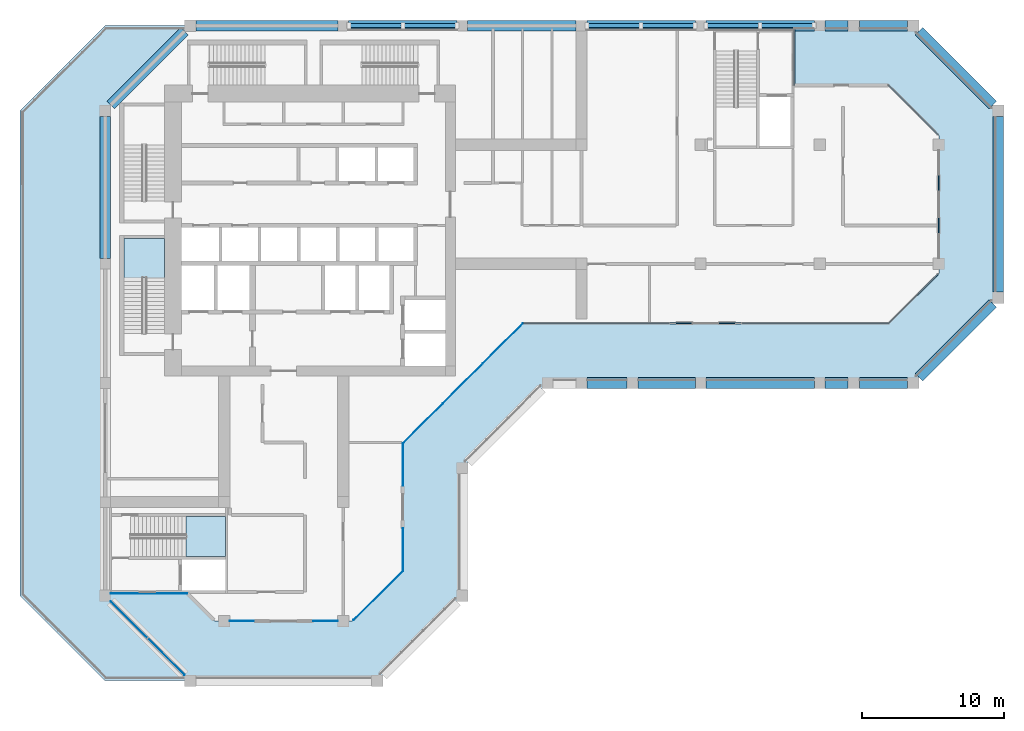
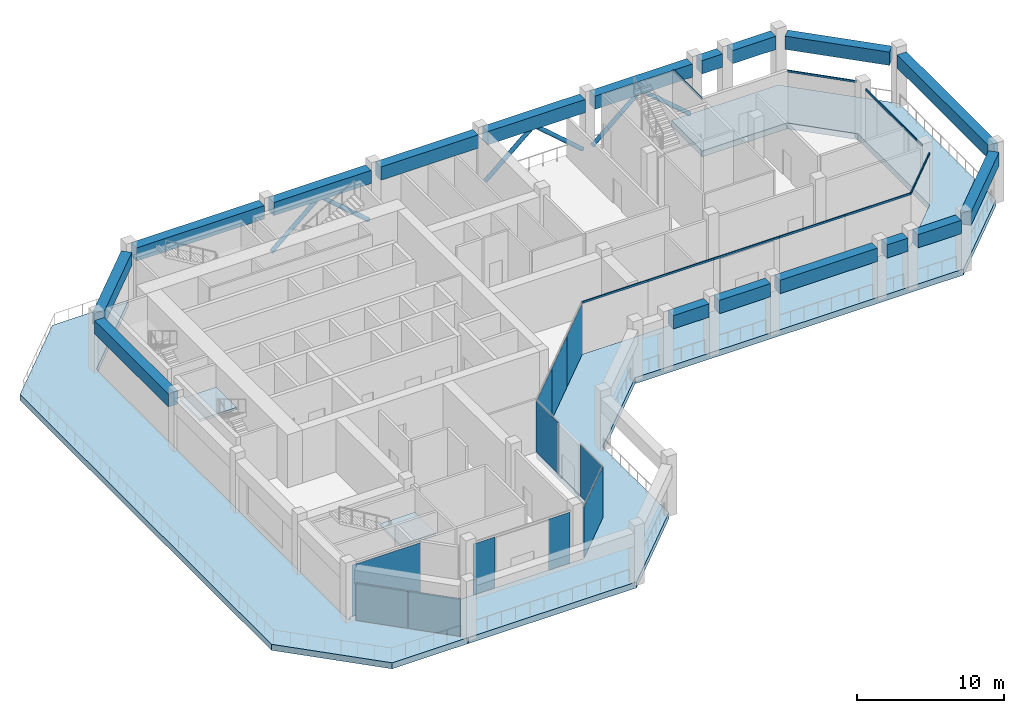
# One storey, part 3 of 16: 17 beams, 15 members, 11 plates, 3 slabs, 13 elements without a shape of their own.
"""IFC4 building model written with IfcOpenShell, lengths in metres."""

from ifc_helpers import new_model, si_unit, direction, frame, origin, origin_2d, place, context, subcontext, project, spatial, polyline, rectangle, hollow_circle, outline, extrude, material, layer, layer_set, material_profile, profile_set, type_object, element, aggregate, save


model = new_model("IFC4")

# Units and contexts
model_context = context("Model", 3, precision=1e-05, world=origin(), true_north=direction((0.0, 1.0)))
body_context = subcontext(model_context, "Body", "Model", "MODEL_VIEW")
ifc_project = project(units=[si_unit("LENGTHUNIT", "METRE"), si_unit("AREAUNIT", "SQUARE_METRE"), si_unit("VOLUMEUNIT", "CUBIC_METRE"), si_unit("PLANEANGLEUNIT", "RADIAN"), si_unit("MASSUNIT", "GRAM", prefix="KILO")], contexts=[model_context])

# Site, building, storey
site_placement = place(None, origin())
site = spatial("IfcSite", under=ifc_project, at=site_placement, CompositionType="ELEMENT")
building_placement = place(site_placement, origin())
building = spatial("IfcBuilding", under=site, at=building_placement, Name="Kawkab Arch Medical Tower", CompositionType="ELEMENT")
storey_placement = place(building_placement, frame((0.0, 0.0, 272.60009765625)))
storey = spatial("IfcBuildingStorey", under=building, at=storey_placement, Name="L63", CompositionType="ELEMENT", Elevation=272.60009765625)

# Members
ifc_material_1 = material(Name="Steel S355", Category="steel")
ifc_material_profile_1 = material_profile(ifc_material_1, hollow_circle(Radius=0.161865234375, WallThickness=0.01611328125, at=origin_2d()), Name="CHS 323.9x16")
ifc_profile_set_1 = profile_set([ifc_material_profile_1], Name="Steel S355")
member_type_1 = type_object("IfcMemberType", Name="CHS 323.9x16 belt truss brace S355", PredefinedType="BRACE", material=ifc_profile_set_1)
for number, where, z_axis, x_axis, name in (
    (1, (17.190185546875, 0.0, 0.070068359375), (0.756396943711, 0.0, 0.654112882876), (0.0, 1.0, 0.0), "Belt truss brace L63-N01A"),
    (2, (24.809814453125, 0.0, 0.070068359375), (-0.756396943711, 0.0, 0.654112882876), (0.0, -1.0, 0.0), "Belt truss brace L63-N01B"),
    (3, (33.989990234375, 0.0, 0.070068359375), (0.756417723019, 0.0, 0.654088853523), (0.0, 1.0, 0.0), "Belt truss brace L63-N02A"),
    (4, (41.60986328125, 0.0, 0.070068359375), (-0.756396943711, 0.0, 0.654112882876), (0.0, -1.0, 0.0), "Belt truss brace L63-N02B"),
    (5, (42.39013671875, 0.0, 0.070068359375), (0.756396943711, 0.0, 0.654112882876), (0.0, 1.0, 0.0), "Belt truss brace L63-N03A"),
    (6, (50.010009765625, 0.0, 0.070068359375), (-0.756417723019, 0.0, 0.654088853523), (0.0, -1.0, 0.0), "Belt truss brace L63-N03B"),
):
    element("IfcMember", number, at=place(storey_placement, frame(where, z_axis=z_axis, x_axis=x_axis)), inside=storey, type_object=member_type_1, Name=name, PredefinedType="BRACE", context=body_context, shape_type="SweptSolid", body=[
        extrude(hollow_circle(Radius=0.161865234375, WallThickness=0.01611328125, at=origin_2d()), origin(), (0.0, 0.0, 1.0), 5.02685546875),
    ])

# Curtain wall, members
ifc_material_2 = material(Name="Bronze anodised aluminium curtain wall frame", Category="aluminium")
ifc_layer_1 = layer(ifc_material_2, 0.159912109375)
ifc_layer_set_1 = layer_set([ifc_layer_1], Name="Bronze anodised aluminium curtain wall frame")
curtain_wall_type = type_object("IfcCurtainWallType", Name="CW4 refuge floor fire-protected glazing", PredefinedType="NOTDEFINED", material=ifc_layer_set_1)
placement_1 = place(storey_placement, origin())
curtain_wall_1 = element("IfcCurtainWall", 7, at=placement_1, inside=storey, type_object=curtain_wall_type, Name="CW4 Refuge floor fire-protected glazing R13", PredefinedType="NOTDEFINED")
ifc_material_3 = material(Name="Bronze anodised aluminium curtain wall frame", Category="aluminium")
ifc_material_profile_2 = material_profile(ifc_material_3, rectangle(XDim=0.080078125, YDim=0.159912109375, at=origin_2d()), Name="AL 80x160")
ifc_profile_set_2 = profile_set([ifc_material_profile_2], Name="Bronze anodised aluminium curtain wall frame")
member_type_2 = type_object("IfcMemberType", Name="CW4 transom 160 x 80", PredefinedType="USERDEFINED", material=ifc_profile_set_2)
member_1_placement = place(storey_placement, frame((29.4599609375, -21.0, 4.31982421875), z_axis=(1.0, 0.0, 0.0), x_axis=(0.0, 1.0, 0.0)))
member_1 = element("IfcMember", 8, at=member_1_placement, type_object=member_type_2, Name="CW4 transom 1", ObjectType="TRANSOM", PredefinedType="USERDEFINED", context=body_context, shape_type="SweptSolid", body=[
    extrude(rectangle(XDim=0.080078125, YDim=0.159912109375, at=origin_2d()), origin(), (0.0, 0.0, 1.0), 5.16015625),
])
member_2_placement = place(storey_placement, frame((34.6201171875, -21.0, 4.31982421875), z_axis=(1.0, 0.0, 0.0), x_axis=(0.0, 1.0, 0.0)))
member_2 = element("IfcMember", 9, at=member_2_placement, type_object=member_type_2, Name="CW4 transom 2", ObjectType="TRANSOM", PredefinedType="USERDEFINED", context=body_context, shape_type="SweptSolid", body=[
    extrude(rectangle(XDim=0.080078125, YDim=0.159912109375, at=origin_2d()), origin(), (0.0, 0.0, 1.0), 5.159912109375),
])
member_3_placement = place(storey_placement, frame((39.780029296875, -21.0, 4.31982421875), z_axis=(1.0, 0.0, 0.0), x_axis=(0.0, 1.0, 0.0)))
member_3 = element("IfcMember", 10, at=member_3_placement, type_object=member_type_2, Name="CW4 transom 3", ObjectType="TRANSOM", PredefinedType="USERDEFINED", context=body_context, shape_type="SweptSolid", body=[
    extrude(rectangle(XDim=0.080078125, YDim=0.159912109375, at=origin_2d()), origin(), (0.0, 0.0, 1.0), 5.159912109375),
])
member_4_placement = place(storey_placement, frame((44.93994140625, -21.0, 4.31982421875), z_axis=(1.0, 0.0, 0.0), x_axis=(0.0, 1.0, 0.0)))
member_4 = element("IfcMember", 11, at=member_4_placement, type_object=member_type_2, Name="CW4 transom 4", ObjectType="TRANSOM", PredefinedType="USERDEFINED", context=body_context, shape_type="SweptSolid", body=[
    extrude(rectangle(XDim=0.080078125, YDim=0.159912109375, at=origin_2d()), origin(), (0.0, 0.0, 1.0), 5.16015625),
])
member_5_placement = place(storey_placement, frame((50.10009765625, -21.0, 4.31982421875), z_axis=(1.0, 0.0, 0.0), x_axis=(0.0, 1.0, 0.0)))
member_5 = element("IfcMember", 12, at=member_5_placement, type_object=member_type_2, Name="CW4 transom 5", ObjectType="TRANSOM", PredefinedType="USERDEFINED", context=body_context, shape_type="SweptSolid", body=[
    extrude(rectangle(XDim=0.080078125, YDim=0.159912109375, at=origin_2d()), origin(), (0.0, 0.0, 1.0), 5.159912109375),
])
aggregate(curtain_wall_1, [member_1, member_2, member_3, member_4, member_5])

# Curtain wall, member
curtain_wall_2 = element("IfcCurtainWall", 13, at=placement_1, inside=storey, type_object=curtain_wall_type, Name="CW4 Refuge floor fire-protected glazing R14", PredefinedType="NOTDEFINED")
member_6_placement = place(storey_placement, frame((55.260009765625, -21.0, 4.31982421875), z_axis=(0.707106781187, 0.707106781187, 0.0), x_axis=(-0.707106781187, 0.707106781187, 0.0)))
member_6 = element("IfcMember", 14, at=member_6_placement, type_object=member_type_2, Name="CW4 transom 1", ObjectType="TRANSOM", PredefinedType="USERDEFINED", context=body_context, shape_type="SweptSolid", body=[
    extrude(rectangle(XDim=0.080078125, YDim=0.159912109375, at=origin_2d()), origin(), (0.0, 0.0, 1.0), 4.9072265625),
])
aggregate(curtain_wall_2, [member_6])

curtain_wall_3 = element("IfcCurtainWall", 15, at=placement_1, inside=storey, type_object=curtain_wall_type, Name="CW4 Refuge floor fire-protected glazing R15", PredefinedType="NOTDEFINED")
member_7_placement = place(storey_placement, frame((58.800048828125, -16.39990234375, 4.31982421875), z_axis=(0.0, 1.0, 0.0), x_axis=(-1.0, 0.0, 0.0)))
member_7 = element("IfcMember", 16, at=member_7_placement, type_object=member_type_2, Name="CW4 transom 1", ObjectType="TRANSOM", PredefinedType="USERDEFINED", context=body_context, shape_type="SweptSolid", body=[
    extrude(rectangle(XDim=0.080078125, YDim=0.159912109375, at=origin_2d()), origin(), (0.0, 0.0, 1.0), 7.599853515625),
])
aggregate(curtain_wall_3, [member_7])

curtain_wall_4 = element("IfcCurtainWall", 17, at=placement_1, inside=storey, type_object=curtain_wall_type, Name="CW4 Refuge floor fire-protected glazing R16", PredefinedType="NOTDEFINED")
member_8_placement = place(storey_placement, frame((58.72998046875, -7.669921875, 4.31982421875), z_axis=(-0.707106781187, 0.707106781187, 0.0), x_axis=(-0.707106781187, -0.707106781187, 0.0)))
member_8 = element("IfcMember", 18, at=member_8_placement, type_object=member_type_2, Name="CW4 transom 1", ObjectType="TRANSOM", PredefinedType="USERDEFINED", context=body_context, shape_type="SweptSolid", body=[
    extrude(rectangle(XDim=0.080078125, YDim=0.159912109375, at=origin_2d()), origin(), (0.0, 0.0, 1.0), 4.9072265625),
])
aggregate(curtain_wall_4, [member_8])

curtain_wall_5 = element("IfcCurtainWall", 19, at=placement_1, inside=storey, type_object=curtain_wall_type, Name="CW4 Refuge floor fire-protected glazing R18", PredefinedType="NOTDEFINED")
member_9_placement = place(storey_placement, frame((48.60107421875, -4.199951171875, 4.31982421875), z_axis=(0.0, 1.0, 0.0), x_axis=(-1.0, 0.0, 0.0)))
member_9 = element("IfcMember", 20, at=member_9_placement, type_object=member_type_2, Name="CW4 transom 1", ObjectType="TRANSOM", PredefinedType="USERDEFINED", context=body_context, shape_type="SweptSolid", body=[
    extrude(rectangle(XDim=0.080078125, YDim=0.159912109375, at=origin_2d()), origin(), (0.0, 0.0, 1.0), 3.89990234375),
])
aggregate(curtain_wall_5, [member_9])

# Beams
ifc_material_4 = material(Name="Concrete C40/50", Category="concrete")
ifc_material_profile_3 = material_profile(ifc_material_4, rectangle(XDim=0.75, YDim=1.10009765625, at=origin_2d()), Name="RC 750x1100")
ifc_profile_set_3 = profile_set([ifc_material_profile_3], Name="Concrete C40/50")
beam_type = type_object("IfcBeamType", Name="RC 750x1100 beam C40/50", PredefinedType="SPANDREL", material=ifc_profile_set_3)
beam_1_placement = place(storey_placement, frame((0.39990234375, -5.60009765625, 3.849853515625), z_axis=(0.707106781187, 0.707106781187, 0.0), x_axis=(-0.707106781187, 0.707106781187, 0.0)))
element("IfcBeam", 21, at=beam_1_placement, inside=storey, type_object=beam_type, Name="Belt beam L63-01", PredefinedType="SPANDREL", context=body_context, shape_type="SweptSolid", body=[
    extrude(rectangle(XDim=0.75, YDim=1.10009765625, at=origin_2d()), origin(), (0.0, 0.0, 1.0), 7.354248046875),
])
beam_2_placement = place(storey_placement, frame((6.39990234375, 0.0, 3.849853515625), z_axis=(1.0, 0.0, 0.0), x_axis=(0.0, 1.0, 0.0)))
element("IfcBeam", 22, at=beam_2_placement, inside=storey, type_object=beam_type, Name="Belt beam L63-02", PredefinedType="SPANDREL", context=body_context, shape_type="SweptSolid", body=[
    extrude(rectangle(XDim=0.75, YDim=1.10009765625, at=origin_2d()), origin(), (0.0, 0.0, 1.0), 10.025146484375),
])
beam_3_placement = place(storey_placement, frame((17.175048828125, 0.0, 3.849853515625), z_axis=(1.0, 0.0, 0.0), x_axis=(0.0, 1.0, 0.0)))
element("IfcBeam", 23, at=beam_3_placement, inside=storey, type_object=beam_type, Name="Belt beam L63-03", PredefinedType="SPANDREL", context=body_context, shape_type="SweptSolid", body=[
    extrude(rectangle(XDim=0.75, YDim=1.10009765625, at=origin_2d()), origin(), (0.0, 0.0, 1.0), 7.64990234375),
])
beam_4_placement = place(storey_placement, frame((25.574951171875, 0.0, 3.849853515625), z_axis=(1.0, 0.0, 0.0), x_axis=(0.0, 1.0, 0.0)))
element("IfcBeam", 24, at=beam_4_placement, inside=storey, type_object=beam_type, Name="Belt beam L63-04", PredefinedType="SPANDREL", context=body_context, shape_type="SweptSolid", body=[
    extrude(rectangle(XDim=0.75, YDim=1.10009765625, at=origin_2d()), origin(), (0.0, 0.0, 1.0), 7.650146484375),
])
for number, where, z_axis, x_axis, name in (
    (25, (33.97509765625, 0.0, 3.849853515625), (1.0, 0.0, 0.0), (0.0, 1.0, 0.0), "Belt beam L63-05"),
    (26, (42.375, 0.0, 3.849853515625), (1.0, 0.0, 0.0), (0.0, 1.0, 0.0), "Belt beam L63-06"),
):
    element("IfcBeam", number, at=place(storey_placement, frame(where, z_axis=z_axis, x_axis=x_axis)), inside=storey, type_object=beam_type, Name=name, PredefinedType="SPANDREL", context=body_context, shape_type="SweptSolid", body=[
        extrude(rectangle(XDim=0.75, YDim=1.10009765625, at=origin_2d()), origin(), (0.0, 0.0, 1.0), 7.64990234375),
    ])
beam_5_placement = place(storey_placement, frame((50.77490234375, 0.0, 3.849853515625), z_axis=(1.0, 0.0, 0.0), x_axis=(0.0, 1.0, 0.0)))
element("IfcBeam", 27, at=beam_5_placement, inside=storey, type_object=beam_type, Name="Belt beam L63-07", PredefinedType="SPANDREL", context=body_context, shape_type="SweptSolid", body=[
    extrude(rectangle(XDim=0.75, YDim=1.10009765625, at=origin_2d()), origin(), (0.0, 0.0, 1.0), 1.625),
])
beam_6_placement = place(storey_placement, frame((53.199951171875, 0.0, 3.849853515625), z_axis=(1.0, 0.0, 0.0), x_axis=(0.0, 1.0, 0.0)))
element("IfcBeam", 28, at=beam_6_placement, inside=storey, type_object=beam_type, Name="Belt beam L63-08", PredefinedType="SPANDREL", context=body_context, shape_type="SweptSolid", body=[
    extrude(rectangle(XDim=0.75, YDim=1.10009765625, at=origin_2d()), origin(), (0.0, 0.0, 1.0), 3.400146484375),
])
beam_7_placement = place(storey_placement, frame((57.39990234375, -0.39990234375, 3.849853515625), z_axis=(0.707106781187, -0.707106781187, 0.0), x_axis=(0.707106781187, 0.707106781187, 0.0)))
element("IfcBeam", 29, at=beam_7_placement, inside=storey, type_object=beam_type, Name="Belt beam L63-09", PredefinedType="SPANDREL", context=body_context, shape_type="SweptSolid", body=[
    extrude(rectangle(XDim=0.75, YDim=1.10009765625, at=origin_2d()), origin(), (0.0, 0.0, 1.0), 7.354248046875),
])
beam_8_placement = place(storey_placement, frame((63.0, -6.39990234375, 3.849853515625), z_axis=(0.0, -1.0, 0.0), x_axis=(1.0, 0.0, 0.0)))
element("IfcBeam", 30, at=beam_8_placement, inside=storey, type_object=beam_type, Name="Belt beam L63-10", PredefinedType="SPANDREL", context=body_context, shape_type="SweptSolid", body=[
    extrude(rectangle(XDim=0.75, YDim=1.10009765625, at=origin_2d()), origin(), (0.0, 0.0, 1.0), 12.400146484375),
])
beam_9_placement = place(storey_placement, frame((62.60009765625, -19.60009765625, 3.849853515625), z_axis=(-0.707123380132, -0.707090181851, 0.0), x_axis=(0.707090181851, -0.707123380132, 0.0)))
element("IfcBeam", 31, at=beam_9_placement, inside=storey, type_object=beam_type, Name="Belt beam L63-11", PredefinedType="SPANDREL", context=body_context, shape_type="SweptSolid", body=[
    extrude(rectangle(XDim=0.75, YDim=1.10009765625, at=origin_2d()), origin(), (0.0, 0.0, 1.0), 7.35400390625),
])
beam_10_placement = place(storey_placement, frame((56.60009765625, -25.199951171875, 3.849853515625), z_axis=(-1.0, 0.0, 0.0), x_axis=(0.0, -1.0, 0.0)))
element("IfcBeam", 32, at=beam_10_placement, inside=storey, type_object=beam_type, Name="Belt beam L63-12", PredefinedType="SPANDREL", context=body_context, shape_type="SweptSolid", body=[
    extrude(rectangle(XDim=0.75, YDim=1.10009765625, at=origin_2d()), origin(), (0.0, 0.0, 1.0), 3.400146484375),
])
beam_11_placement = place(storey_placement, frame((52.39990234375, -25.199951171875, 3.849853515625), z_axis=(-1.0, 0.0, 0.0), x_axis=(0.0, -1.0, 0.0)))
element("IfcBeam", 33, at=beam_11_placement, inside=storey, type_object=beam_type, Name="Belt beam L63-13", PredefinedType="SPANDREL", context=body_context, shape_type="SweptSolid", body=[
    extrude(rectangle(XDim=0.75, YDim=1.10009765625, at=origin_2d()), origin(), (0.0, 0.0, 1.0), 1.625),
])
beam_12_placement = place(storey_placement, frame((50.02490234375, -25.199951171875, 3.849853515625), z_axis=(-1.0, 0.0, 0.0), x_axis=(0.0, -1.0, 0.0)))
element("IfcBeam", 34, at=beam_12_placement, inside=storey, type_object=beam_type, Name="Belt beam L63-14", PredefinedType="SPANDREL", context=body_context, shape_type="SweptSolid", body=[
    extrude(rectangle(XDim=0.75, YDim=1.10009765625, at=origin_2d()), origin(), (0.0, 0.0, 1.0), 7.64990234375),
])
beam_13_placement = place(storey_placement, frame((41.625, -25.199951171875, 3.849853515625), z_axis=(-1.0, 0.0, 0.0), x_axis=(0.0, -1.0, 0.0)))
element("IfcBeam", 35, at=beam_13_placement, inside=storey, type_object=beam_type, Name="Belt beam L63-15", PredefinedType="SPANDREL", context=body_context, shape_type="SweptSolid", body=[
    extrude(rectangle(XDim=0.75, YDim=1.10009765625, at=origin_2d()), origin(), (0.0, 0.0, 1.0), 4.02490234375),
])
beam_14_placement = place(storey_placement, frame((36.800048828125, -25.199951171875, 3.849853515625), z_axis=(-1.0, 0.0, 0.0), x_axis=(0.0, -1.0, 0.0)))
element("IfcBeam", 36, at=beam_14_placement, inside=storey, type_object=beam_type, Name="Belt beam L63-16", PredefinedType="SPANDREL", context=body_context, shape_type="SweptSolid", body=[
    extrude(rectangle(XDim=0.75, YDim=1.10009765625, at=origin_2d()), origin(), (0.0, 0.0, 1.0), 2.800048828125),
])
beam_15_placement = place(storey_placement, frame((0.0, -16.425048828125, 3.849853515625), z_axis=(0.0, 1.0, 0.0), x_axis=(-1.0, 0.0, 0.0)))
element("IfcBeam", 37, at=beam_15_placement, inside=storey, type_object=beam_type, Name="Belt beam L63-26", PredefinedType="SPANDREL", context=body_context, shape_type="SweptSolid", body=[
    extrude(rectangle(XDim=0.75, YDim=1.10009765625, at=origin_2d()), origin(), (0.0, 0.0, 1.0), 10.025146484375),
])

# Curtain wall, plates
curtain_wall_6 = element("IfcCurtainWall", 38, at=placement_1, inside=storey, type_object=curtain_wall_type, Name="CW4 Refuge floor fire-protected glazing R04", PredefinedType="NOTDEFINED")
ifc_material_5 = material(Name="Fire-resisting laminated glass", Category="glass")
ifc_layer_2 = layer(ifc_material_5, 0.0400390625)
ifc_layer_set_2 = layer_set([ifc_layer_2], Name="Fire-resisting laminated glass")
plate_type = type_object("IfcPlateType", Name="CW4 glazing unit 40", PredefinedType="CURTAIN_PANEL", material=ifc_layer_set_2)
plate_1_placement = place(storey_placement, frame((4.314208984375, -44.51416015625, 0.0), z_axis=(0.0, 0.0, 1.0), x_axis=(-0.707106781187, 0.707106781187, 0.0)))
plate_1 = element("IfcPlate", 39, at=plate_1_placement, type_object=plate_type, Name="CW4 glazing unit 1.1", PredefinedType="CURTAIN_PANEL", context=body_context, shape_type="SweptSolid", body=[
    extrude(rectangle(XDim=3.636962890625, YDim=0.0400390625, at=origin_2d()), origin(), (0.0, 0.0, 1.0), 3.139892578125),
])
plate_2_placement = place(storey_placement, frame((1.685791015625, -41.8857421875, 0.0), z_axis=(0.0, 0.0, 1.0), x_axis=(-0.707106781187, 0.707106781187, 0.0)))
plate_2 = element("IfcPlate", 40, at=plate_2_placement, type_object=plate_type, Name="CW4 glazing unit 1.2", PredefinedType="CURTAIN_PANEL", context=body_context, shape_type="SweptSolid", body=[
    extrude(rectangle(XDim=3.636962890625, YDim=0.0400390625, at=origin_2d()), origin(), (0.0, 0.0, 1.0), 3.139892578125),
])
aggregate(curtain_wall_6, [plate_1, plate_2])

# Curtain wall, plate
curtain_wall_7 = element("IfcCurtainWall", 41, at=placement_1, inside=storey, type_object=curtain_wall_type, Name="CW4 Refuge floor fire-protected glazing R07", PredefinedType="NOTDEFINED")
plate_3_placement = place(storey_placement, frame((3.094970703125, -40.050048828125, 0.0), z_axis=(0.0, 0.0, 1.0), x_axis=(1.0, 0.0, 0.0)))
plate_3 = element("IfcPlate", 42, at=plate_3_placement, type_object=plate_type, Name="CW4 glazing unit 1.1", PredefinedType="CURTAIN_PANEL", context=body_context, shape_type="SweptSolid", body=[
    extrude(rectangle(XDim=5.389892578125, YDim=0.0400390625, at=origin_2d()), origin(), (0.0, 0.0, 1.0), 4.239990234375),
])
aggregate(curtain_wall_7, [plate_3])

# Curtain wall, plates
curtain_wall_8 = element("IfcCurtainWall", 43, at=placement_1, inside=storey, type_object=curtain_wall_type, Name="CW4 Refuge floor fire-protected glazing R09", PredefinedType="NOTDEFINED")
plate_4_placement = place(storey_placement, frame((9.64990234375, -42.0009765625, 0.0), z_axis=(0.0, 0.0, 1.0), x_axis=(1.0, 0.0, 0.0)))
plate_4 = element("IfcPlate", 44, at=plate_4_placement, type_object=plate_type, Name="CW4 glazing unit 1.1", PredefinedType="CURTAIN_PANEL", context=body_context, shape_type="SweptSolid", body=[
    extrude(rectangle(XDim=1.699951171875, YDim=0.0400390625, at=origin_2d()), origin(), (0.0, 0.0, 1.0), 4.239990234375),
])
plate_5_placement = place(storey_placement, frame((15.550048828125, -42.0009765625, 0.0), z_axis=(0.0, 0.0, 1.0), x_axis=(1.0, 0.0, 0.0)))
plate_5 = element("IfcPlate", 45, at=plate_5_placement, type_object=plate_type, Name="CW4 glazing unit 1.3", PredefinedType="CURTAIN_PANEL", context=body_context, shape_type="SweptSolid", body=[
    extrude(rectangle(XDim=1.699951171875, YDim=0.0400390625, at=origin_2d()), origin(), (0.0, 0.0, 1.0), 4.239990234375),
])
aggregate(curtain_wall_8, [plate_4, plate_5])

# Curtain wall, plate
curtain_wall_9 = element("IfcCurtainWall", 46, at=placement_1, inside=storey, type_object=curtain_wall_type, Name="CW4 Refuge floor fire-protected glazing R10", PredefinedType="NOTDEFINED")
plate_6_placement = place(storey_placement, frame((19.264892578125, -40.195068359375, 0.0), z_axis=(0.0, 0.0, 1.0), x_axis=(0.707106781187, 0.707106781187, 0.0)))
plate_6 = element("IfcPlate", 47, at=plate_6_placement, type_object=plate_type, Name="CW4 glazing unit 1.1", PredefinedType="CURTAIN_PANEL", context=body_context, shape_type="SweptSolid", body=[
    extrude(rectangle(XDim=4.9072265625, YDim=0.0400390625, at=origin_2d()), origin(), (0.0, 0.0, 1.0), 4.239990234375),
])
aggregate(curtain_wall_9, [plate_6])

# Curtain wall, plates
curtain_wall_10 = element("IfcCurtainWall", 48, at=placement_1, inside=storey, type_object=curtain_wall_type, Name="CW4 Refuge floor fire-protected glazing R11", PredefinedType="NOTDEFINED")
plate_7_placement = place(storey_placement, frame((21.0, -36.9599609375, 0.0), z_axis=(0.0, 0.0, 1.0), x_axis=(0.0, 1.0, 0.0)))
plate_7 = element("IfcPlate", 49, at=plate_7_placement, type_object=plate_type, Name="CW4 glazing unit 1.1", PredefinedType="CURTAIN_PANEL", context=body_context, shape_type="SweptSolid", body=[
    extrude(rectangle(XDim=3.0, YDim=0.0400390625, at=origin_2d()), origin(), (0.0, 0.0, 1.0), 4.239990234375),
])
plate_8_placement = place(storey_placement, frame((21.0, -30.9599609375, 0.0), z_axis=(0.0, 0.0, 1.0), x_axis=(0.0, 1.0, 0.0)))
plate_8 = element("IfcPlate", 50, at=plate_8_placement, type_object=plate_type, Name="CW4 glazing unit 3.1", PredefinedType="CURTAIN_PANEL", context=body_context, shape_type="SweptSolid", body=[
    extrude(rectangle(XDim=3.0, YDim=0.0400390625, at=origin_2d()), origin(), (0.0, 0.0, 1.0), 4.239990234375),
])
aggregate(curtain_wall_10, [plate_7, plate_8])

curtain_wall_11 = element("IfcCurtainWall", 51, at=placement_1, inside=storey, type_object=curtain_wall_type, Name="CW4 Refuge floor fire-protected glazing R12", PredefinedType="NOTDEFINED")
plate_9_placement = place(storey_placement, frame((22.409912109375, -28.050048828125, 0.0), z_axis=(0.0, 0.0, 1.0), x_axis=(0.707106781187, 0.707106781187, 0.0)))
plate_9 = element("IfcPlate", 52, at=plate_9_placement, type_object=plate_type, Name="CW4 glazing unit 1.1", PredefinedType="CURTAIN_PANEL", context=body_context, shape_type="SweptSolid", body=[
    extrude(rectangle(XDim=3.988037109375, YDim=0.0400390625, at=origin_2d()), origin(), (0.0, 0.0, 1.0), 4.239990234375),
])
plate_10_placement = place(storey_placement, frame((25.22998046875, -25.22998046875, 0.0), z_axis=(0.0, 0.0, 1.0), x_axis=(0.707106781187, 0.707106781187, 0.0)))
plate_10 = element("IfcPlate", 53, at=plate_10_placement, type_object=plate_type, Name="CW4 glazing unit 2.1", PredefinedType="CURTAIN_PANEL", context=body_context, shape_type="SweptSolid", body=[
    extrude(rectangle(XDim=3.988037109375, YDim=0.0400390625, at=origin_2d()), origin(), (0.0, 0.0, 1.0), 4.239990234375),
])
plate_11_placement = place(storey_placement, frame((28.050048828125, -22.409912109375, 0.0), z_axis=(0.0, 0.0, 1.0), x_axis=(0.707106781187, 0.707106781187, 0.0)))
plate_11 = element("IfcPlate", 54, at=plate_11_placement, type_object=plate_type, Name="CW4 glazing unit 3.1", PredefinedType="CURTAIN_PANEL", context=body_context, shape_type="SweptSolid", body=[
    extrude(rectangle(XDim=3.988037109375, YDim=0.0400390625, at=origin_2d()), origin(), (0.0, 0.0, 1.0), 4.239990234375),
])
aggregate(curtain_wall_11, [plate_9, plate_10, plate_11])

# Stair, slab
ifc_material_6 = material(Name="Concrete C40/50", Category="concrete")
stair_type = type_object("IfcStairType", Name="Exit stair 1350", PredefinedType="HALF_TURN_STAIR", material=ifc_material_6)
stair_1 = element("IfcStair", 55, at=placement_1, inside=storey, type_object=stair_type, Name="L63 Exit stair ST2", PredefinedType="HALF_TURN_STAIR")
ifc_material_7 = material(Name="Concrete C40/50", Category="concrete")
ifc_layer_3 = layer(ifc_material_7, 0.199951171875)
ifc_layer_set_3 = layer_set([ifc_layer_3], Name="Concrete C40/50")
slab_type_1 = type_object("IfcSlabType", Name="Exit stair landing 200", PredefinedType="LANDING", material=ifc_layer_set_3)
placement_2 = place(storey_placement, frame((0.0, 0.0, 2.2998046875)))
slab_1 = element("IfcSlab", 56, at=placement_2, type_object=slab_type_1, Name="ST2 landing 1", PredefinedType="LANDING", context=body_context, shape_type="SweptSolid", body=[
    extrude(outline(polyline([(4.199951171875, -17.780029296875), (4.199951171875, -15.0), (1.35009765625, -15.0), (1.35009765625, -17.780029296875), (4.199951171875, -17.780029296875)])), origin(), (0.0, 0.0, 1.0), 0.2001953125),
])
aggregate(stair_1, [slab_1])

stair_2 = element("IfcStair", 57, at=placement_1, inside=storey, type_object=stair_type, Name="L63 Exit stair ST6", PredefinedType="HALF_TURN_STAIR")
slab_2 = element("IfcSlab", 58, at=placement_2, type_object=slab_type_1, Name="ST6 landing 1", PredefinedType="LANDING", context=body_context, shape_type="SweptSolid", body=[
    extrude(outline(polyline([(5.719970703125, -37.449951171875), (8.5, -37.449951171875), (8.5, -34.60009765625), (5.719970703125, -34.60009765625), (5.719970703125, -37.449951171875)])), origin(), (0.0, 0.0, 1.0), 0.2001953125),
])
aggregate(stair_2, [slab_2])

# Slab
ifc_material_8 = material(Name="Concrete C45/55", Category="concrete")
ifc_layer_4 = layer(ifc_material_8, 0.5)
ifc_layer_set_4 = layer_set([ifc_layer_4], Name="Concrete C45/55")
slab_type_2 = type_object("IfcSlabType", Name="Refuge terrace slab 500", PredefinedType="FLOOR", material=ifc_layer_set_4)
slab_3_placement = place(storey_placement, frame((0.0, 0.0, -0.5)))
element("IfcSlab", 59, at=slab_3_placement, inside=storey, type_object=slab_type_2, Name="Refuge terrace slab L63.1", PredefinedType="FLOOR", context=body_context, shape_type="SweptSolid", body=[
    extrude(outline(polyline([(-6.0, -40.198974609375), (-6.0, -40.198974609375), (-6.0, -6.0009765625), (-6.0, -6.0009765625), (-6.0, -6.0009765625), (-5.9990234375, -6.0), (-5.9990234375, -5.9990234375), (-5.998046875, -5.9990234375), (-5.998046875, -5.998046875), (-5.998046875, -5.998046875), (-0.001953125, -0.001953125), (-0.001953125, -0.001953125), (-0.0009765625, -0.001953125), (-0.0009765625, -0.0009765625), (0.0, -0.0009765625), (0.0009765625, 0.0), (0.0009765625, 0.0), (0.0009765625, 0.0), (5.97802734375, 0.0), (5.97802734375, 0.0), (5.97802734375, 0.0), (5.97900390625, -0.0009765625), (5.97998046875, -0.0009765625), (5.97998046875, -0.0009765625), (5.98095703125, -0.001953125), (5.98193359375, -0.0029296875), (5.98291015625, -0.00390625), (5.98388671875, -0.0048828125), (5.98388671875, -0.0048828125), (5.98388671875, -0.006103515625), (5.985107421875, -0.007080078125), (5.985107421875, -0.007080078125), (5.985107421875, -0.007080078125), (5.985107421875, -0.012939453125), (5.985107421875, -0.012939453125), (5.985107421875, -0.012939453125), (5.98388671875, -0.013916015625), (5.98388671875, -0.014892578125), (5.98388671875, -0.014892578125), (5.98291015625, -0.01611328125), (5.98193359375, -0.01708984375), (0.0, -6.0), (-0.0009765625, -6.0009765625), (-0.0009765625, -40.198974609375), (0.0, -40.199951171875), (0.10888671875, -40.30908203125), (0.216064453125, -40.050048828125), (0.216064453125, -40.050048828125), (0.216064453125, -40.050048828125), (5.7900390625, -40.050048828125), (5.7900390625, -40.050048828125), (5.7900390625, -40.050048828125), (7.739990234375, -42.0), (7.740966796875, -42.0009765625), (17.458984375, -42.0009765625), (17.4599609375, -42.0), (21.0, -38.4599609375), (21.0, -29.4599609375), (21.0, -29.4599609375), (21.0, -29.4599609375), (29.4599609375, -21.0), (29.4599609375, -21.0), (29.4599609375, -21.0), (55.260009765625, -21.0), (58.800048828125, -17.4599609375), (58.800048828125, -7.739990234375), (55.260009765625, -4.199951171875), (48.60107421875, -4.199951171875), (48.60107421875, -4.199951171875), (48.60107421875, -4.199951171875), (48.60107421875, 0.0), (48.60107421875, 0.0), (48.60107421875, 0.0), (57.0, 0.0), (57.0, 0.0), (57.0, 0.0), (63.0, -6.0), (63.0, -6.0), (63.0, -6.0), (63.0, -19.199951171875), (63.0, -19.199951171875), (63.0, -19.199951171875), (57.0, -25.199951171875), (57.0, -25.199951171875), (57.0, -25.199951171875), (31.199951171875, -25.199951171875), (25.199951171875, -31.199951171875), (25.199951171875, -40.199951171875), (25.199951171875, -40.199951171875), (25.199951171875, -40.199951171875), (19.199951171875, -46.199951171875), (19.199951171875, -46.199951171875), (19.199951171875, -46.199951171875), (6.0, -46.199951171875), (6.0, -46.199951171875), (6.0, -46.199951171875), (5.985107421875, -46.18505859375), (5.985107421875, -46.193115234375), (5.985107421875, -46.193115234375), (5.985107421875, -46.193115234375), (5.98388671875, -46.194091796875), (5.98388671875, -46.195068359375), (5.98388671875, -46.195068359375), (5.98291015625, -46.196044921875), (5.98193359375, -46.197021484375), (5.97998046875, -46.198974609375), (5.97998046875, -46.198974609375), (5.97900390625, -46.198974609375), (5.97802734375, -46.199951171875), (5.97802734375, -46.199951171875), (5.97802734375, -46.199951171875), (0.0009765625, -46.199951171875), (0.0009765625, -46.199951171875), (0.0009765625, -46.199951171875), (0.0, -46.198974609375), (-0.0009765625, -46.198974609375), (-0.0009765625, -46.197998046875), (-0.001953125, -46.197998046875), (-0.001953125, -46.197998046875), (-0.0029296875, -46.197021484375), (-5.9970703125, -40.202880859375), (-5.998046875, -40.201904296875), (-5.998046875, -40.201904296875), (-5.998046875, -40.200927734375), (-5.9990234375, -40.200927734375), (-5.9990234375, -40.199951171875), (-6.0, -40.198974609375), (-6.0, -40.198974609375)])), origin(), (0.0, 0.0, 1.0), 0.5),
])

save(model, "model.ifc")
